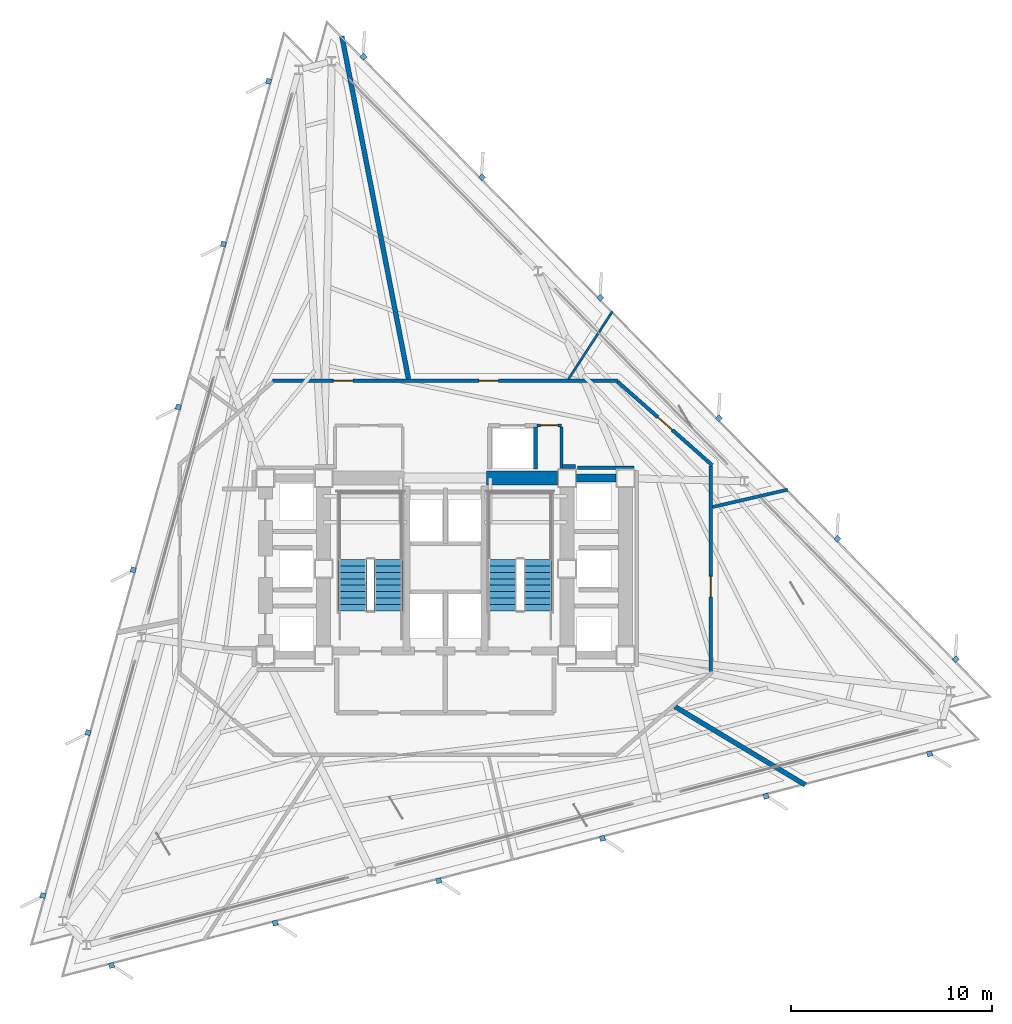
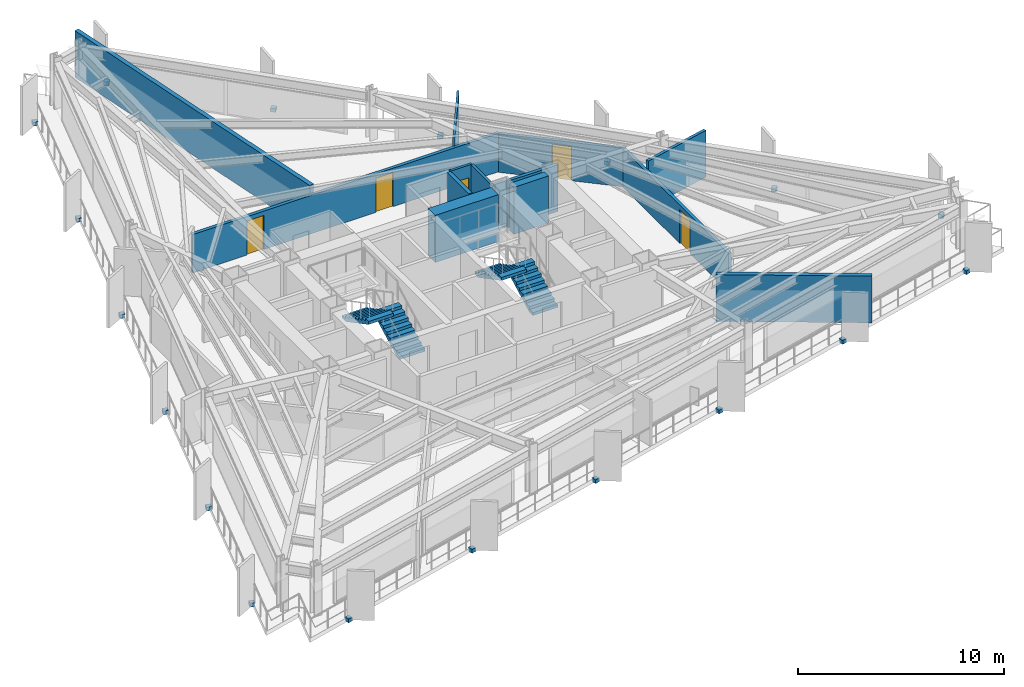
# One storey, part 8 of 11: 18 discrete accessories, 14 walls, 5 doors, 4 stair flights, 5 openings, 2 elements without a shape of their own.
"""IFC4 building model written with IfcOpenShell, lengths in metres."""

from ifc_helpers import new_model, si_unit, direction, frame, frame_2d, origin, origin_2d, place, context, subcontext, project, spatial, polyline, rectangle, outline, extrude, material, layer, layer_set, type_object, element, fill, aggregate, save


model = new_model("IFC4")

# Units and contexts
model_context = context("Model", 3, precision=1e-05, world=origin(), true_north=direction((0.0, 1.0)))
body_context = subcontext(model_context, "Body", "Model", "MODEL_VIEW")
ifc_project = project(units=[si_unit("LENGTHUNIT", "METRE"), si_unit("AREAUNIT", "SQUARE_METRE"), si_unit("VOLUMEUNIT", "CUBIC_METRE"), si_unit("PLANEANGLEUNIT", "RADIAN"), si_unit("MASSUNIT", "GRAM", prefix="KILO")], contexts=[model_context])

# Site, building, storey
site_placement = place(None, origin())
site = spatial("IfcSite", under=ifc_project, at=site_placement, CompositionType="ELEMENT")
building_placement = place(site_placement, origin())
building = spatial("IfcBuilding", under=site, at=building_placement, Name="Rocaltana Carrier Exchange", CompositionType="ELEMENT")
storey_placement = place(building_placement, frame((0.0, 0.0, 82.56005859375)))
storey = spatial("IfcBuildingStorey", under=building, at=storey_placement, Name="L25", CompositionType="ELEMENT", Elevation=82.56005859375)

# Walls
ifc_material_1 = material(Name="Double Acoustic Gypsum Partition", Category="gypsum")
ifc_layer_1 = layer(ifc_material_1, 0.159912109375)
ifc_layer_set_1 = layer_set([ifc_layer_1], Name="Double Acoustic Gypsum Partition")
wall_type_1 = type_object("IfcWallType", Name="Acoustic Studio Partition 160 EI60", PredefinedType="PARTITIONING", material=ifc_layer_set_1)
wall_1_placement = place(storey_placement, frame((13.280029296875, 3.06591796875, 0.0), z_axis=(0.0, 0.0, 1.0), x_axis=(0.974371849336, 0.224943324464, 0.0)))
element("IfcWall", 1, at=wall_1_placement, inside=storey, type_object=wall_type_1, Name="L25 Suite Divider Wall D5", PredefinedType="PARTITIONING", context=body_context, shape_type="SweptSolid", body=[
    extrude(rectangle(XDim=3.8291015625, YDim=0.159912109375, at=frame_2d((1.91455078125, 0.0))), origin(), (0.0, 0.0, 1.0), 2.762939453125),
])
ifc_material_2 = material(Name="Concrete C50/60", Category="concrete")
ifc_layer_2 = layer(ifc_material_2, 0.39990234375)
ifc_layer_set_2 = layer_set([ifc_layer_2], Name="Concrete C50/60")
wall_type_2 = type_object("IfcWallType", Name="Core Internal Shear Wall 400", PredefinedType="SHEAR", material=ifc_layer_set_2)
wall_2_placement = place(storey_placement, frame((6.52490234375, 4.5, 0.0), z_axis=(0.0, 0.0, 1.0), x_axis=(1.0, 0.0, 0.0)))
element("IfcWall", 2, at=wall_2_placement, inside=storey, type_object=wall_type_2, Name="L25 Core Shear Wall CW-EWN", PredefinedType="SHEAR", context=body_context, shape_type="SweptSolid", body=[
    extrude(rectangle(XDim=1.9501953125, YDim=0.39990234375, at=frame_2d((0.97509765625, 0.0))), origin(), (0.0, 0.0, 1.0), 2.787841796875),
])
ifc_material_3 = material(Name="Concrete C60/75", Category="concrete")
ifc_layer_3 = layer(ifc_material_3, 0.699951171875)
ifc_layer_set_3 = layer_set([ifc_layer_3], Name="Concrete C60/75")
wall_type_3 = type_object("IfcWallType", Name="Core Shear Wall 700", PredefinedType="SHEAR", material=ifc_layer_set_3)
wall_3_placement = place(storey_placement, frame((2.050048828125, 4.5, 0.0), z_axis=(0.0, 0.0, 1.0), x_axis=(1.0, 0.0, 0.0)))
element("IfcWall", 3, at=wall_3_placement, inside=storey, type_object=wall_type_3, Name="L25 Core Shear Wall CW-N2", PredefinedType="SHEAR", context=body_context, shape_type="SweptSolid", body=[
    extrude(rectangle(XDim=3.52490234375, YDim=0.699951171875, at=frame_2d((1.762451171875, 0.0))), origin(), (0.0, 0.0, 1.0), 2.787841796875),
])

# Wall, openings, doors
ifc_material_4 = material(Name="Gypsum & Steel Stud Partition", Category="steel")
ifc_layer_4 = layer(ifc_material_4, 0.179931640625)
ifc_layer_set_4 = layer_set([ifc_layer_4], Name="Gypsum & Steel Stud Partition")
wall_type_4 = type_object("IfcWallType", Name="Corridor Fire Partition 180 EI60", PredefinedType="PARTITIONING", material=ifc_layer_set_4)
wall_4_placement = place(storey_placement, frame((-8.590087890625, 9.35009765625, 0.0), z_axis=(0.0, 0.0, 1.0), x_axis=(1.0, 0.0, 0.0)))
wall_4 = element("IfcWall", 4, at=wall_4_placement, inside=storey, type_object=wall_type_4, Name="L25 Corridor Partition 1", PredefinedType="PARTITIONING", context=body_context, shape_type="SweptSolid", body=[
    extrude(rectangle(XDim=17.18017578125, YDim=0.179931640625, at=frame_2d((8.590087890625, 0.0))), origin(), (0.0, 0.0, 1.0), 2.27685546875),
])
opening_1_placement = place(wall_4_placement, frame((10.260986328125, 0.0, 0.0)))
opening_1 = element("IfcOpeningElement", 5, at=opening_1_placement, cuts=wall_4, Name="Opening D-RM098", PredefinedType="OPENING", context=body_context, shape_type="SweptSolid", body=[
    extrude(rectangle(XDim=0.9599609375, YDim=2.02001953125, at=frame_2d((0.47998046875, 1.010009765625))), frame((0.0, 0.099853515625, 0.0), z_axis=(0.0, -1.0, 0.0), x_axis=(1.0, 0.0, 0.0)), (0.0, 0.0, 1.0), 0.199951171875),
])
opening_2_placement = place(wall_4_placement, frame((3.02783203125, 0.0, 0.0)))
opening_2 = element("IfcOpeningElement", 6, at=opening_2_placement, cuts=wall_4, Name="Opening D-RM098", PredefinedType="OPENING", context=body_context, shape_type="SweptSolid", body=[
    extrude(rectangle(XDim=0.9599609375, YDim=2.02001953125, at=frame_2d((0.47998046875, 1.010009765625))), frame((0.0, 0.099853515625, 0.0), z_axis=(0.0, -1.0, 0.0), x_axis=(1.0, 0.0, 0.0)), (0.0, 0.0, 1.0), 0.199951171875),
])
ifc_material_5 = material(Name="Engineered Hardwood Timber", Category="wood")
door_type_1 = type_object("IfcDoorType", Name="Workspace Single Door 960x2020", OperationType="NOTDEFINED", PredefinedType="DOOR", material=ifc_material_5)
door_1_placement = place(opening_1_placement, origin())
door_1 = element("IfcDoor", 7, at=door_1_placement, inside=storey, type_object=door_type_1, Name="L25 Peering Conference Room Entrance Door", OperationType="SINGLE_SWING_LEFT", OverallHeight=2.02001953125, OverallWidth=0.9599609375, PredefinedType="DOOR", context=body_context, shape_type="SweptSolid", body=[
    extrude(rectangle(XDim=0.9599609375, YDim=2.02001953125, at=frame_2d((0.47998046875, 1.010009765625))), frame((0.0, 0.02490234375, 0.0), z_axis=(0.0, -1.0, 0.0), x_axis=(1.0, 0.0, 0.0)), (0.0, 0.0, 1.0), 0.050048828125),
])
fill(opening_1, door_1)
door_2_placement = place(opening_2_placement, origin())
door_2 = element("IfcDoor", 8, at=door_2_placement, inside=storey, type_object=door_type_1, Name="L25 Quiet Focus Lounge Entrance Door", OperationType="SINGLE_SWING_RIGHT", OverallHeight=2.02001953125, OverallWidth=0.9599609375, PredefinedType="DOOR", context=body_context, shape_type="SweptSolid", body=[
    extrude(rectangle(XDim=0.9599609375, YDim=2.02001953125, at=frame_2d((0.47998046875, 1.010009765625))), frame((0.0, 0.02490234375, 0.0), z_axis=(0.0, -1.0, 0.0), x_axis=(1.0, 0.0, 0.0)), (0.0, 0.0, 1.0), 0.050048828125),
])
fill(opening_2, door_2)

# Wall, opening, door
wall_5_placement = place(storey_placement, frame((8.5673828125, 9.290283203125, 0.0), z_axis=(0.0, 0.0, 1.0), x_axis=(0.749626463267, -0.66186113768, 0.0)))
wall_5 = element("IfcWall", 9, at=wall_5_placement, inside=storey, type_object=wall_type_4, Name="L25 Corridor Partition 2", PredefinedType="PARTITIONING", context=body_context, shape_type="SweptSolid", body=[
    extrude(rectangle(XDim=6.27001953125, YDim=0.179931640625, at=frame_2d((3.135009765625, 0.0))), origin(), (0.0, 0.0, 1.0), 2.27685546875),
])
opening_3_placement = place(wall_5_placement, frame((2.655029296875, 0.0, 0.0)))
opening_3 = element("IfcOpeningElement", 10, at=opening_3_placement, cuts=wall_5, Name="Opening D-RM098", PredefinedType="OPENING", context=body_context, shape_type="SweptSolid", body=[
    extrude(rectangle(XDim=0.9599609375, YDim=2.02001953125, at=frame_2d((0.47998046875, 1.010009765625))), frame((0.0, 0.099853515625, 0.0), z_axis=(0.0, -1.0, 0.0), x_axis=(1.0, 0.0, 0.0)), (0.0, 0.0, 1.0), 0.199951171875),
])
door_3_placement = place(opening_3_placement, origin())
door_3 = element("IfcDoor", 11, at=door_3_placement, inside=storey, type_object=door_type_1, Name="L25 Executive Peering Boardroom Entrance Door", OperationType="SINGLE_SWING_RIGHT", OverallHeight=2.02001953125, OverallWidth=0.9599609375, PredefinedType="DOOR", context=body_context, shape_type="SweptSolid", body=[
    extrude(rectangle(XDim=0.9599609375, YDim=2.02001953125, at=frame_2d((0.47998046875, 1.010009765625))), frame((0.0, 0.02490234375, 0.0), z_axis=(0.0, -1.0, 0.0), x_axis=(1.0, 0.0, 0.0)), (0.0, 0.0, 1.0), 0.050048828125),
])
fill(opening_3, door_3)

wall_6_placement = place(storey_placement, frame((13.199951171875, 5.110107421875, 0.0), z_axis=(0.0, 0.0, 1.0), x_axis=(0.0, -1.0, 0.0)))
wall_6 = element("IfcWall", 12, at=wall_6_placement, inside=storey, type_object=wall_type_4, Name="L25 Corridor Partition 3", PredefinedType="PARTITIONING", context=body_context, shape_type="SweptSolid", body=[
    extrude(rectangle(XDim=10.22021484375, YDim=0.179931640625, at=frame_2d((5.110107421875, 0.0))), origin(), (0.0, 0.0, 1.0), 2.27685546875),
])
opening_4_placement = place(wall_6_placement, frame((5.492919921875, 0.0, 0.0)))
opening_4 = element("IfcOpeningElement", 13, at=opening_4_placement, cuts=wall_6, Name="Opening D-LB104", PredefinedType="OPENING", context=body_context, shape_type="SweptSolid", body=[
    extrude(rectangle(XDim=1.02001953125, YDim=2.02001953125, at=frame_2d((0.510009765625, 1.010009765625))), frame((0.0, 0.099853515625, 0.0), z_axis=(0.0, -1.0, 0.0), x_axis=(1.0, 0.0, 0.0)), (0.0, 0.0, 1.0), 0.199951171875),
])
ifc_material_6 = material(Name="Powder-Coated Aluminium 6063-T6", Category="aluminium")
door_type_2 = type_object("IfcDoorType", Name="Laboratory Acoustic Door 1020x2020", OperationType="NOTDEFINED", PredefinedType="DOOR", material=ifc_material_6)
door_4_placement = place(opening_4_placement, origin())
door_4 = element("IfcDoor", 14, at=door_4_placement, inside=storey, type_object=door_type_2, Name="L25 Optical Switching Laboratory Entrance Door", OperationType="SINGLE_SWING_LEFT", OverallHeight=2.02001953125, OverallWidth=1.02001953125, PredefinedType="DOOR", context=body_context, shape_type="SweptSolid", body=[
    extrude(rectangle(XDim=1.02001953125, YDim=2.02001953125, at=frame_2d((0.510009765625, 1.010009765625))), frame((0.0, 0.02490234375, 0.0), z_axis=(0.0, -1.0, 0.0), x_axis=(1.0, 0.0, 0.0)), (0.0, 0.0, 1.0), 0.050048828125),
])
fill(opening_4, door_4)

# Walls
wall_7_placement = place(storey_placement, frame((9.3701171875, 5.010009765625, 0.0), z_axis=(0.0, 0.0, 1.0), x_axis=(-1.0, 0.0, 0.0)))
element("IfcWall", 15, at=wall_7_placement, inside=storey, type_object=wall_type_4, Name="L25 Corridor Partition 18", PredefinedType="PARTITIONING", context=body_context, shape_type="SweptSolid", body=[
    extrude(rectangle(XDim=2.807861328125, YDim=0.179931640625, at=frame_2d((1.40380859375, 0.0))), origin(), (0.0, 0.0, 1.0), 2.762939453125),
])
wall_8_placement = place(storey_placement, frame((6.469970703125, 5.080078125, 0.0), z_axis=(0.0, 0.0, 1.0), x_axis=(-1.0, 0.0, 0.0)))
element("IfcWall", 16, at=wall_8_placement, inside=storey, type_object=wall_type_4, Name="L25 Corridor Partition 19", PredefinedType="PARTITIONING", context=body_context, shape_type="SweptSolid", body=[
    extrude(rectangle(XDim=0.64990234375, YDim=0.179931640625, at=frame_2d((0.324951171875, 0.0))), origin(), (0.0, 0.0, 1.0), 2.762939453125),
])
ifc_material_7 = material(Name="Aluminium 6063-T6 & Acoustic Glass", Category="aluminium")
ifc_layer_5 = layer(ifc_material_7, 0.114990234375)
ifc_layer_set_5 = layer_set([ifc_layer_5], Name="Aluminium 6063-T6 & Acoustic Glass")
wall_type_5 = type_object("IfcWallType", Name="Demountable Glazed Lab Partition 115", PredefinedType="MOVABLE", material=ifc_layer_set_5)
wall_9_placement = place(storey_placement, frame((6.123779296875, 9.429931640625, 0.0), z_axis=(0.0, 0.0, 1.0), x_axis=(0.544653909872, 0.838660907912, 0.0)))
element("IfcWall", 17, at=wall_9_placement, inside=storey, type_object=wall_type_5, Name="L25 Suite Divider Wall D6", PredefinedType="MOVABLE", context=body_context, shape_type="SweptSolid", body=[
    extrude(rectangle(XDim=4.00341796875, YDim=0.114990234375, at=frame_2d((2.001708984375, 0.0))), origin(), (0.0, 0.0, 1.0), 2.762939453125),
])
ifc_material_8 = material(Name="Acoustic Calcium Silicate Partition", Category="gypsum")
ifc_layer_6 = layer(ifc_material_8, 0.239990234375)
ifc_layer_set_6 = layer_set([ifc_layer_6], Name="Acoustic Calcium Silicate Partition")
wall_type_6 = type_object("IfcWallType", Name="Heavy Lab Partition 240 EI90", PredefinedType="PARTITIONING", material=ifc_layer_set_6)
wall_10_placement = place(storey_placement, frame((11.40478515625, -6.8525390625, 0.0), z_axis=(0.0, 0.0, 1.0), x_axis=(0.857165278127, -0.515041441025, 0.0)))
element("IfcWall", 18, at=wall_10_placement, inside=storey, type_object=wall_type_6, Name="L25 Suite Divider Wall D4", PredefinedType="PARTITIONING", context=body_context, shape_type="SweptSolid", body=[
    extrude(rectangle(XDim=7.56494140625, YDim=0.239990234375, at=frame_2d((3.782470703125, 0.0))), origin(), (0.0, 0.0, 1.0), 2.762939453125),
])
wall_11_placement = place(storey_placement, frame((-1.8330078125, 9.429931640625, 0.0), z_axis=(0.0, 0.0, 1.0), x_axis=(-0.190802669454, 0.981628413061, 0.0)))
element("IfcWall", 19, at=wall_11_placement, inside=storey, type_object=wall_type_6, Name="L25 Suite Divider Wall D7", PredefinedType="PARTITIONING", context=body_context, shape_type="SweptSolid", body=[
    extrude(rectangle(XDim=17.363525390625, YDim=0.239990234375, at=frame_2d((8.681640625, 0.0))), origin(), (0.0, 0.0, 1.0), 2.762939453125),
])
ifc_material_9 = material(Name="Reinforced Concrete Block C35/45", Category="concrete")
ifc_layer_7 = layer(ifc_material_9, 0.199951171875)
ifc_layer_set_7 = layer_set([ifc_layer_7], Name="Reinforced Concrete Block C35/45")
wall_type_7 = type_object("IfcWallType", Name="Lift Hoistway Enclosure Wall 200 EI120", PredefinedType="PARTITIONING", material=ifc_layer_set_7)
wall_12_placement = place(storey_placement, frame((4.47998046875, 4.949951171875, 0.0), z_axis=(0.0, 0.0, 1.0), x_axis=(0.0, 1.0, 0.0)))
element("IfcWall", 20, at=wall_12_placement, inside=storey, type_object=wall_type_7, Name="L25 Goods Lift East Wall", PredefinedType="PARTITIONING", context=body_context, shape_type="SweptSolid", body=[
    extrude(rectangle(XDim=2.10009765625, YDim=0.199951171875, at=frame_2d((1.050048828125, 0.0))), origin(), (0.0, 0.0, 1.0), 2.762939453125),
])
ifc_material_10 = material(Name="Moisture-Resistant Masonry C30/37", Category="masonry")
ifc_layer_8 = layer(ifc_material_10, 0.139892578125)
ifc_layer_set_8 = layer_set([ifc_layer_8], Name="Moisture-Resistant Masonry C30/37")
wall_type_8 = type_object("IfcWallType", Name="Wet-Area Sanitary Partition 140", PredefinedType="PARTITIONING", material=ifc_layer_set_8)
wall_13_placement = place(storey_placement, frame((5.780029296875, 4.949951171875, 0.0), z_axis=(0.0, 0.0, 1.0), x_axis=(0.0, 1.0, 0.0)))
element("IfcWall", 21, at=wall_13_placement, inside=storey, type_object=wall_type_8, Name="L25 Restroom East Wall", PredefinedType="PARTITIONING", context=body_context, shape_type="SweptSolid", body=[
    extrude(rectangle(XDim=2.10009765625, YDim=0.139892578125, at=frame_2d((1.050048828125, 0.0))), origin(), (0.0, 0.0, 1.0), 2.762939453125),
])

# Wall, opening, door
wall_14_placement = place(storey_placement, frame((4.56005859375, 7.1201171875, 0.0), z_axis=(0.0, 0.0, 1.0), x_axis=(1.0, 0.0, 0.0)))
wall_14 = element("IfcWall", 22, at=wall_14_placement, inside=storey, type_object=wall_type_8, Name="L25 Restroom North Wall", PredefinedType="PARTITIONING", context=body_context, shape_type="SweptSolid", body=[
    extrude(rectangle(XDim=1.219970703125, YDim=0.139892578125, at=frame_2d((0.60986328125, 0.0))), origin(), (0.0, 0.0, 1.0), 2.762939453125),
])
opening_5_placement = place(wall_14_placement, frame((0.169921875, 0.0, 0.0)))
opening_5 = element("IfcOpeningElement", 23, at=opening_5_placement, cuts=wall_14, Name="Opening D-WC090", PredefinedType="OPENING", context=body_context, shape_type="SweptSolid", body=[
    extrude(rectangle(XDim=0.8798828125, YDim=2.02001953125, at=frame_2d((0.43994140625, 1.010009765625))), frame((0.0, 0.079833984375, 0.0), z_axis=(0.0, -1.0, 0.0), x_axis=(1.0, 0.0, 0.0)), (0.0, 0.0, 1.0), 0.159912109375),
])
ifc_material_11 = material(Name="High-Pressure Laminate Timber", Category="wood")
door_type_3 = type_object("IfcDoorType", Name="Restroom & Accessible WC Door 880x2020", OperationType="NOTDEFINED", PredefinedType="DOOR", material=ifc_material_11)
door_5_placement = place(opening_5_placement, origin())
door_5 = element("IfcDoor", 24, at=door_5_placement, inside=storey, type_object=door_type_3, Name="L25 Staff Restroom Door", OperationType="SINGLE_SWING_LEFT", OverallHeight=2.02001953125, OverallWidth=0.8798828125, PredefinedType="DOOR", context=body_context, shape_type="SweptSolid", body=[
    extrude(rectangle(XDim=0.8798828125, YDim=2.02001953125, at=frame_2d((0.43994140625, 1.010009765625))), frame((0.0, 0.02490234375, 0.0), z_axis=(0.0, -1.0, 0.0), x_axis=(1.0, 0.0, 0.0)), (0.0, 0.0, 1.0), 0.050048828125),
])
fill(opening_5, door_5)

# Stair, stair flights
ifc_material_12 = material(Name="Precast concrete C45/55", Category="concrete")
stair_type = type_object("IfcStairType", Name="Standard Dog-Leg Stair 160", PredefinedType="HALF_TURN_STAIR", material=ifc_material_12)
stair_1_placement = place(storey_placement, origin())
stair_1 = element("IfcStair", 25, at=stair_1_placement, inside=storey, type_object=stair_type, Name="L25 Core West Exit Stair ST-1", PredefinedType="HALF_TURN_STAIR")
ifc_material_13 = material(Name="Precast concrete C45/55", Category="concrete")
stair_flight_type = type_object("IfcStairFlightType", Name="Precast Stair Flight 160", PredefinedType="STRAIGHT", material=ifc_material_13)
stair_flight_1_placement = place(storey_placement, frame((-2.840087890625, -2.10009765625, 0.0), z_axis=(0.0, 0.0, 1.0), x_axis=(0.0, 1.0, 0.0)))
stair_flight_1 = element("IfcStairFlight", 26, at=stair_flight_1_placement, type_object=stair_flight_type, Name="ST-1 flight 1", NumberOfRisers=9, NumberOfTreads=8, PredefinedType="STRAIGHT", RiserHeight=0.168888889, TreadLength=0.32, context=body_context, shape_type="SweptSolid", body=[
    extrude(outline(polyline([(0.0, 0.0), (0.0, 0.1689453125), (0.320068359375, 0.1689453125), (0.320068359375, 0.337890625), (0.639892578125, 0.337890625), (0.639892578125, 0.506591796875), (0.9599609375, 0.506591796875), (0.9599609375, 0.675537109375), (1.280029296875, 0.675537109375), (1.280029296875, 0.844482421875), (1.60009765625, 0.844482421875), (1.60009765625, 1.013427734375), (1.919921875, 1.013427734375), (1.919921875, 1.18212890625), (2.239990234375, 1.18212890625), (2.239990234375, 1.35107421875), (2.56005859375, 1.35107421875), (2.56005859375, 1.52001953125), (2.56005859375, 1.17041015625), (0.342529296875, 0.0), (0.0, 0.0)])), frame((0.0, 0.699951171875, 0.0), z_axis=(0.0, -1.0, 0.0), x_axis=(1.0, 0.0, 0.0)), (0.0, 0.0, 1.0), 1.39990234375),
])
stair_flight_2_placement = place(storey_placement, frame((-4.60009765625, 0.4599609375, 1.52001953125), z_axis=(0.0, 0.0, 1.0), x_axis=(0.0, -1.0, 0.0)))
stair_flight_2 = element("IfcStairFlight", 27, at=stair_flight_2_placement, type_object=stair_flight_type, Name="ST-1 flight 2", NumberOfRisers=9, NumberOfTreads=8, PredefinedType="STRAIGHT", RiserHeight=0.168888889, TreadLength=0.32, context=body_context, shape_type="SweptSolid", body=[
    extrude(outline(polyline([(0.0, 0.0), (0.0, 0.1689453125), (0.320068359375, 0.1689453125), (0.320068359375, 0.337890625), (0.639892578125, 0.337890625), (0.639892578125, 0.506591796875), (0.9599609375, 0.506591796875), (0.9599609375, 0.675537109375), (1.280029296875, 0.675537109375), (1.280029296875, 0.844482421875), (1.60009765625, 0.844482421875), (1.60009765625, 1.013427734375), (1.919921875, 1.013427734375), (1.919921875, 1.18212890625), (2.239990234375, 1.18212890625), (2.239990234375, 1.35107421875), (2.56005859375, 1.35107421875), (2.56005859375, 1.52001953125), (2.56005859375, 1.17041015625), (0.342529296875, 0.0), (0.0, 0.0)])), frame((0.0, 0.699951171875, 0.0), z_axis=(0.0, -1.0, 0.0), x_axis=(1.0, 0.0, 0.0)), (0.0, 0.0, 1.0), 1.39990234375),
])
aggregate(stair_1, [stair_flight_1, stair_flight_2])

stair_2_placement = place(storey_placement, origin())
stair_2 = element("IfcStair", 28, at=stair_2_placement, inside=storey, type_object=stair_type, Name="L25 Core East Exit Stair ST-2", PredefinedType="HALF_TURN_STAIR")
stair_flight_3_placement = place(storey_placement, frame((4.60009765625, -2.10009765625, 0.0), z_axis=(0.0, 0.0, 1.0), x_axis=(0.0, 1.0, 0.0)))
stair_flight_3 = element("IfcStairFlight", 29, at=stair_flight_3_placement, type_object=stair_flight_type, Name="ST-2 flight 1", NumberOfRisers=9, NumberOfTreads=8, PredefinedType="STRAIGHT", RiserHeight=0.168888889, TreadLength=0.32, context=body_context, shape_type="SweptSolid", body=[
    extrude(outline(polyline([(0.0, 0.0), (0.0, 0.1689453125), (0.320068359375, 0.1689453125), (0.320068359375, 0.337890625), (0.639892578125, 0.337890625), (0.639892578125, 0.506591796875), (0.9599609375, 0.506591796875), (0.9599609375, 0.675537109375), (1.280029296875, 0.675537109375), (1.280029296875, 0.844482421875), (1.60009765625, 0.844482421875), (1.60009765625, 1.013427734375), (1.919921875, 1.013427734375), (1.919921875, 1.18212890625), (2.239990234375, 1.18212890625), (2.239990234375, 1.35107421875), (2.56005859375, 1.35107421875), (2.56005859375, 1.52001953125), (2.56005859375, 1.17041015625), (0.342529296875, 0.0), (0.0, 0.0)])), frame((0.0, 0.699951171875, 0.0), z_axis=(0.0, -1.0, 0.0), x_axis=(1.0, 0.0, 0.0)), (0.0, 0.0, 1.0), 1.39990234375),
])
stair_flight_4_placement = place(storey_placement, frame((2.840087890625, 0.4599609375, 1.52001953125), z_axis=(0.0, 0.0, 1.0), x_axis=(0.0, -1.0, 0.0)))
stair_flight_4 = element("IfcStairFlight", 30, at=stair_flight_4_placement, type_object=stair_flight_type, Name="ST-2 flight 2", NumberOfRisers=9, NumberOfTreads=8, PredefinedType="STRAIGHT", RiserHeight=0.168888889, TreadLength=0.32, context=body_context, shape_type="SweptSolid", body=[
    extrude(outline(polyline([(0.0, 0.0), (0.0, 0.1689453125), (0.320068359375, 0.1689453125), (0.320068359375, 0.337890625), (0.639892578125, 0.337890625), (0.639892578125, 0.506591796875), (0.9599609375, 0.506591796875), (0.9599609375, 0.675537109375), (1.280029296875, 0.675537109375), (1.280029296875, 0.844482421875), (1.60009765625, 0.844482421875), (1.60009765625, 1.013427734375), (1.919921875, 1.013427734375), (1.919921875, 1.18212890625), (2.239990234375, 1.18212890625), (2.239990234375, 1.35107421875), (2.56005859375, 1.35107421875), (2.56005859375, 1.52001953125), (2.56005859375, 1.17041015625), (0.342529296875, 0.0), (0.0, 0.0)])), frame((0.0, 0.699951171875, 0.0), z_axis=(0.0, -1.0, 0.0), x_axis=(1.0, 0.0, 0.0)), (0.0, 0.0, 1.0), 1.39990234375),
])
aggregate(stair_2, [stair_flight_3, stair_flight_4])

# Discrete accessories
ifc_material_14 = material(Name="Brushed Architectural Stainless Metal", Category="steel")
ifc_layer_9 = layer(ifc_material_14, 0.219970703125)
ifc_layer_set_9 = layer_set([ifc_layer_9], Name="Brushed Architectural Stainless Metal")
discrete_accessory_type = type_object("IfcDiscreteAccessoryType", Name="Stainless Fin Slab-Edge Bracket 260x260x220", PredefinedType="BRACKET", material=ifc_layer_set_9)
for number, where, z_axis, x_axis, name in (
    (31, (25.371826171875, -4.509765625, -0.2099609375), (0.0, 0.0, 1.0), (-0.7009092643, 0.713250449154, 0.0), "L25 Sandstone Fin Edge Bracket F1-01"),
    (32, (19.484375, 1.481689453125, -0.2099609375), (0.0, 0.0, 1.0), (-0.7009092643, 0.713250449154, 0.0), "L25 Sandstone Fin Edge Bracket F1-02"),
    (33, (13.5966796875, 7.472900390625, -0.2099609375), (0.0, 0.0, 1.0), (-0.7009092643, 0.713250449154, 0.0), "L25 Sandstone Fin Edge Bracket F1-03"),
    (34, (7.708984375, 13.464111328125, -0.2099609375), (0.0, 0.0, 1.0), (-0.7009092643, 0.713250449154, 0.0), "L25 Sandstone Fin Edge Bracket F1-04"),
    (35, (1.8212890625, 19.45556640625, -0.2099609375), (0.0, 0.0, 1.0), (-0.7009092643, 0.713250449154, 0.0), "L25 Sandstone Fin Edge Bracket F1-05"),
    (36, (-4.066162109375, 25.44677734375, -0.2099609375), (0.0, 0.0, 1.0), (-0.7009092643, 0.713250449154, 0.0), "L25 Sandstone Fin Edge Bracket F1-06"),
    (37, (-8.780517578125, 24.2275390625, -0.2099609375), (0.0, 0.0, 1.0), (-0.267238376078, -0.963630453209, 0.0), "L25 Sandstone Fin Edge Bracket F2-01"),
    (38, (-11.025146484375, 16.133056640625, -0.2099609375), (0.0, 0.0, 1.0), (-0.267238376078, -0.963630453209, 0.0), "L25 Sandstone Fin Edge Bracket F2-02"),
    (39, (-13.27001953125, 8.03857421875, -0.2099609375), (0.0, 0.0, 1.0), (-0.267238376078, -0.963630453209, 0.0), "L25 Sandstone Fin Edge Bracket F2-03"),
    (40, (-15.514892578125, -0.055908203125, -0.2099609375), (0.0, 0.0, 1.0), (-0.267238376078, -0.963630453209, 0.0), "L25 Sandstone Fin Edge Bracket F2-04"),
    (41, (-17.759521484375, -8.150390625, -0.2099609375), (0.0, 0.0, 1.0), (-0.267238376078, -0.963630453209, 0.0), "L25 Sandstone Fin Edge Bracket F2-05"),
    (42, (-20.00439453125, -16.244873046875, -0.2099609375), (0.0, 0.0, 1.0), (-0.267238376078, -0.963630453209, 0.0), "L25 Sandstone Fin Edge Bracket F2-06"),
    (43, (-16.591552734375, -19.718017578125, -0.2099609375), (0.0, 0.0, 1.0), (0.968147640378, 0.250380004054, 0.0), "L25 Sandstone Fin Edge Bracket F3-01"),
    (44, (-8.458984375, -17.61474609375, -0.2099609375), (0.0, 0.0, 1.0), (0.968147640378, 0.250380004054, 0.0), "L25 Sandstone Fin Edge Bracket F3-02"),
    (45, (-0.32666015625, -15.511474609375, -0.2099609375), (0.0, 0.0, 1.0), (0.968147640378, 0.250380004054, 0.0), "L25 Sandstone Fin Edge Bracket F3-03"),
    (46, (7.805908203125, -13.408203125, -0.2099609375), (0.0, 0.0, 1.0), (0.968147640378, 0.250380004054, 0.0), "L25 Sandstone Fin Edge Bracket F3-04"),
    (47, (15.938232421875, -11.30517578125, -0.2099609375), (0.0, 0.0, 1.0), (0.968147640378, 0.250380004054, 0.0), "L25 Sandstone Fin Edge Bracket F3-05"),
    (48, (24.07080078125, -9.201904296875, -0.2099609375), (0.0, 0.0, 1.0), (0.968147640378, 0.250380004054, 0.0), "L25 Sandstone Fin Edge Bracket F3-06"),
):
    element("IfcDiscreteAccessory", number, at=place(storey_placement, frame(where, z_axis=z_axis, x_axis=x_axis)), inside=storey, type_object=discrete_accessory_type, Name=name, PredefinedType="BRACKET", context=body_context, shape_type="SweptSolid", body=[
        extrude(rectangle(XDim=0.260009765625, YDim=0.260009765625, at=origin_2d()), origin(), (0.0, 0.0, 1.0), 0.219970703125),
    ])

save(model, "model.ifc")
